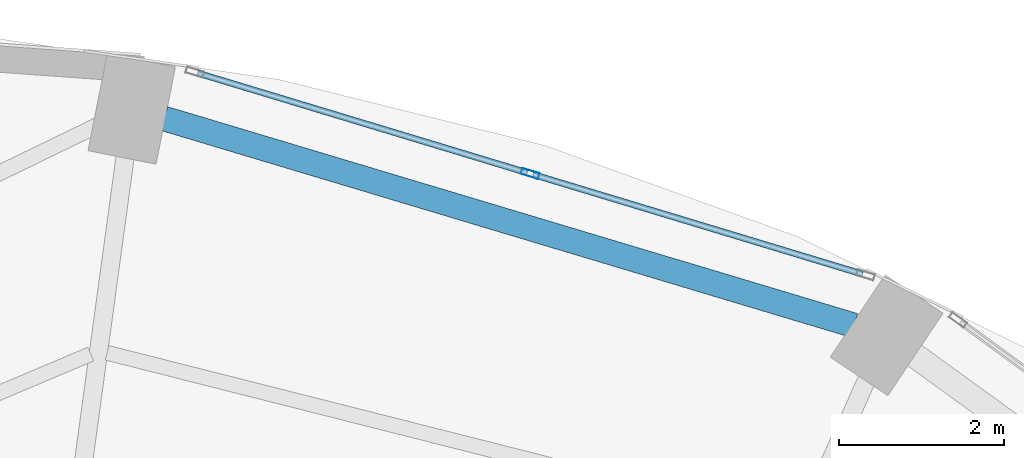
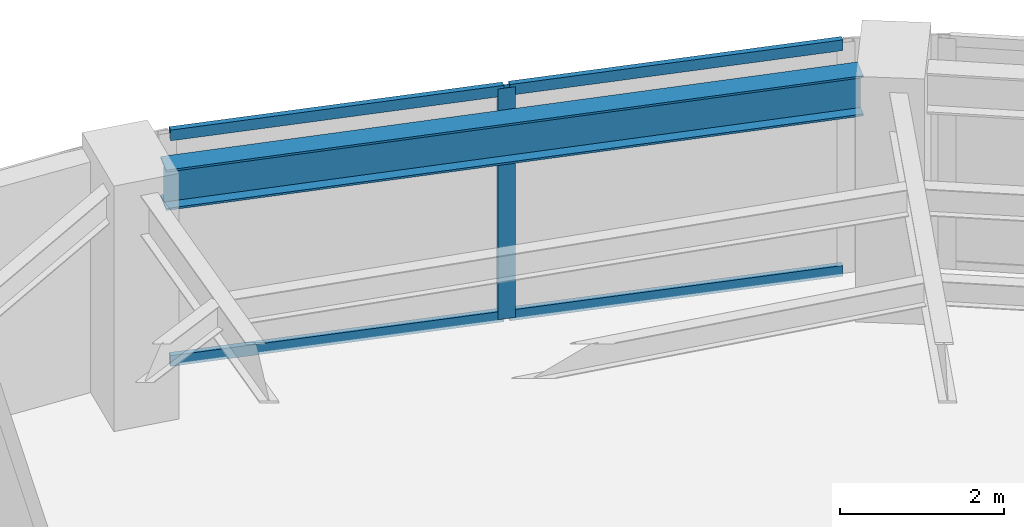
# One storey, part 18 of 24: 5 members, 1 beam, 1 element without a shape of its own.
"""IFC4 building model written with IfcOpenShell, lengths in metres."""

from ifc_helpers import new_model, si_unit, direction, frame, origin, origin_2d, place, context, subcontext, project, spatial, hollow_rectangle, i_section, extrude, material, layer, layer_set, material_profile, profile_set, type_object, element, aggregate, save


model = new_model("IFC4")

# Units and contexts
model_context = context("Model", 3, precision=1e-05, world=origin(), true_north=direction((0.0, 1.0)))
body_context = subcontext(model_context, "Body", "Model", "MODEL_VIEW")
ifc_project = project(units=[si_unit("LENGTHUNIT", "METRE"), si_unit("AREAUNIT", "SQUARE_METRE"), si_unit("VOLUMEUNIT", "CUBIC_METRE"), si_unit("PLANEANGLEUNIT", "RADIAN"), si_unit("MASSUNIT", "GRAM", prefix="KILO")], contexts=[model_context])

# Site, building, storey
site_placement = place(None, origin())
site = spatial("IfcSite", under=ifc_project, at=site_placement, CompositionType="ELEMENT")
building_placement = place(site_placement, origin())
building = spatial("IfcBuilding", under=site, at=building_placement, Name="Lazwardi Medical Tower", CompositionType="ELEMENT")
storey_placement = place(building_placement, frame((0.0, 0.0, 96.3359375)))
storey = spatial("IfcBuildingStorey", under=building, at=storey_placement, Name="L24", CompositionType="ELEMENT", Elevation=96.3359375)

# Beam
ifc_material_1 = material(Name="Steel S355", Category="steel")
ifc_material_profile_1 = material_profile(ifc_material_1, i_section(OverallWidth=0.300048828125, OverallDepth=0.60009765625, WebThickness=0.015380859375, FlangeThickness=0.030029296875, at=origin_2d()), Name="HEB 600")
ifc_profile_set_1 = profile_set([ifc_material_profile_1], Name="Steel S355")
beam_type = type_object("IfcBeamType", Name="BM-RB-Z2", PredefinedType="BEAM", material=ifc_profile_set_1)
beam_placement = place(storey_placement, frame((49.69091796875, 45.775390625, 3.128173828125), z_axis=(-0.957879438442, 0.287170648587, 0.0), x_axis=(-0.287170648587, -0.957879438442, 0.0)))
element("IfcBeam", 1, at=beam_placement, inside=storey, type_object=beam_type, Name="Ring beam RB-03 B07 L24", PredefinedType="BEAM", context=body_context, shape_type="SweptSolid", body=[
    extrude(i_section(OverallWidth=0.300048828125, OverallDepth=0.60009765625, WebThickness=0.015380859375, FlangeThickness=0.030029296875, at=origin_2d()), origin(), (0.0, 0.0, 1.0), 8.719970703125),
])

# Curtain wall, members
ifc_material_2 = material(Name="Anodised bronze aluminium and solar control glazing", Category="aluminium")
ifc_layer = layer(ifc_material_2, 0.195068359375)
ifc_layer_set = layer_set([ifc_layer], Name="Anodised bronze aluminium and solar control glazing")
curtain_wall_type = type_object("IfcCurtainWallType", Name="CW-SYS-03", PredefinedType="NOTDEFINED", material=ifc_layer_set)
curtain_wall_placement = place(storey_placement, origin())
curtain_wall = element("IfcCurtainWall", 2, at=curtain_wall_placement, inside=storey, type_object=curtain_wall_type, Name="L24 Unitised bronze curtain wall CW-03", PredefinedType="NOTDEFINED")
ifc_material_3 = material(Name="Anodised bronze aluminium", Category="aluminium")
ifc_material_profile_2 = material_profile(ifc_material_3, hollow_rectangle(XDim=0.074951171875, YDim=0.219970703125, WallThickness=0.00390625, at=origin_2d()), Name="ALU-MULLION 220x75x4")
ifc_profile_set_2 = profile_set([ifc_material_profile_2], Name="Anodised bronze aluminium")
member_type_1 = type_object("IfcMemberType", Name="CW-MUL-01", PredefinedType="MULLION", material=ifc_profile_set_2)
member_1_placement = place(storey_placement, frame((45.769287109375, 47.613037109375, 0.0), z_axis=(0.0, 0.0, 1.0), x_axis=(-0.28937381157, -0.957216170558, 0.0)))
member_1 = element("IfcMember", 3, at=member_1_placement, type_object=member_type_1, Name="CW-03 mullion 2", PredefinedType="MULLION", context=body_context, shape_type="SweptSolid", body=[
    extrude(hollow_rectangle(XDim=0.074951171875, YDim=0.219970703125, WallThickness=0.00390625, at=origin_2d()), origin(), (0.0, 0.0, 1.0), 3.427978515625),
])
ifc_material_profile_3 = material_profile(ifc_material_3, hollow_rectangle(XDim=0.074951171875, YDim=0.159912109375, WallThickness=0.00390625, at=origin_2d()), Name="ALU-TRANSOM 160x75x4")
ifc_profile_set_3 = profile_set([ifc_material_profile_3], Name="Anodised bronze aluminium")
member_type_2 = type_object("IfcMemberType", Name="CW-TRN-01", PredefinedType="USERDEFINED", material=ifc_profile_set_3)
member_2_placement = place(storey_placement, frame((49.79248046875, 46.396728515625, 0.03759765625), z_axis=(-0.957204630929, 0.289411980623, 0.0), x_axis=(-0.289411980623, -0.957204630929, 0.0)))
member_2 = element("IfcMember", 4, at=member_2_placement, type_object=member_type_2, Name="CW-03 transom 1.1", ObjectType="TRANSOM", PredefinedType="USERDEFINED", context=body_context, shape_type="SweptSolid", body=[
    extrude(hollow_rectangle(XDim=0.074951171875, YDim=0.159912109375, WallThickness=0.00390625, at=origin_2d()), origin(), (0.0, 0.0, 1.0), 4.16552734375),
])
member_3_placement = place(storey_placement, frame((49.79248046875, 46.396728515625, 3.390625), z_axis=(-0.957204630929, 0.289411980623, 0.0), x_axis=(-0.289411980623, -0.957204630929, 0.0)))
member_3 = element("IfcMember", 5, at=member_3_placement, type_object=member_type_2, Name="CW-03 transom 1.2", ObjectType="TRANSOM", PredefinedType="USERDEFINED", context=body_context, shape_type="SweptSolid", body=[
    extrude(hollow_rectangle(XDim=0.074951171875, YDim=0.159912109375, WallThickness=0.00390625, at=origin_2d()), origin(), (0.0, 0.0, 1.0), 4.16552734375),
])
member_4_placement = place(storey_placement, frame((45.7333984375, 47.6240234375, 0.03759765625), z_axis=(-0.957220865985, 0.289358279168, 0.0), x_axis=(-0.289358279168, -0.957220865985, 0.0)))
member_4 = element("IfcMember", 6, at=member_4_placement, type_object=member_type_2, Name="CW-03 transom 2.1", ObjectType="TRANSOM", PredefinedType="USERDEFINED", context=body_context, shape_type="SweptSolid", body=[
    extrude(hollow_rectangle(XDim=0.074951171875, YDim=0.159912109375, WallThickness=0.00390625, at=origin_2d()), origin(), (0.0, 0.0, 1.0), 4.16552734375),
])
member_5_placement = place(storey_placement, frame((45.7333984375, 47.6240234375, 3.390625), z_axis=(-0.957220865985, 0.289358279168, 0.0), x_axis=(-0.289358279168, -0.957220865985, 0.0)))
member_5 = element("IfcMember", 7, at=member_5_placement, type_object=member_type_2, Name="CW-03 transom 2.2", ObjectType="TRANSOM", PredefinedType="USERDEFINED", context=body_context, shape_type="SweptSolid", body=[
    extrude(hollow_rectangle(XDim=0.074951171875, YDim=0.159912109375, WallThickness=0.00390625, at=origin_2d()), origin(), (0.0, 0.0, 1.0), 4.16552734375),
])
aggregate(curtain_wall, [member_1, member_2, member_3, member_4, member_5])

save(model, "model.ifc")
